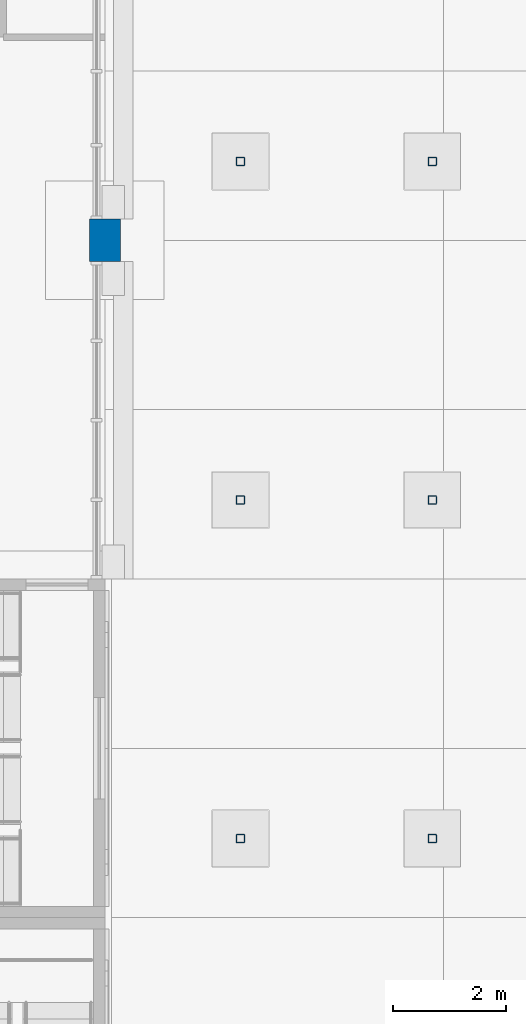
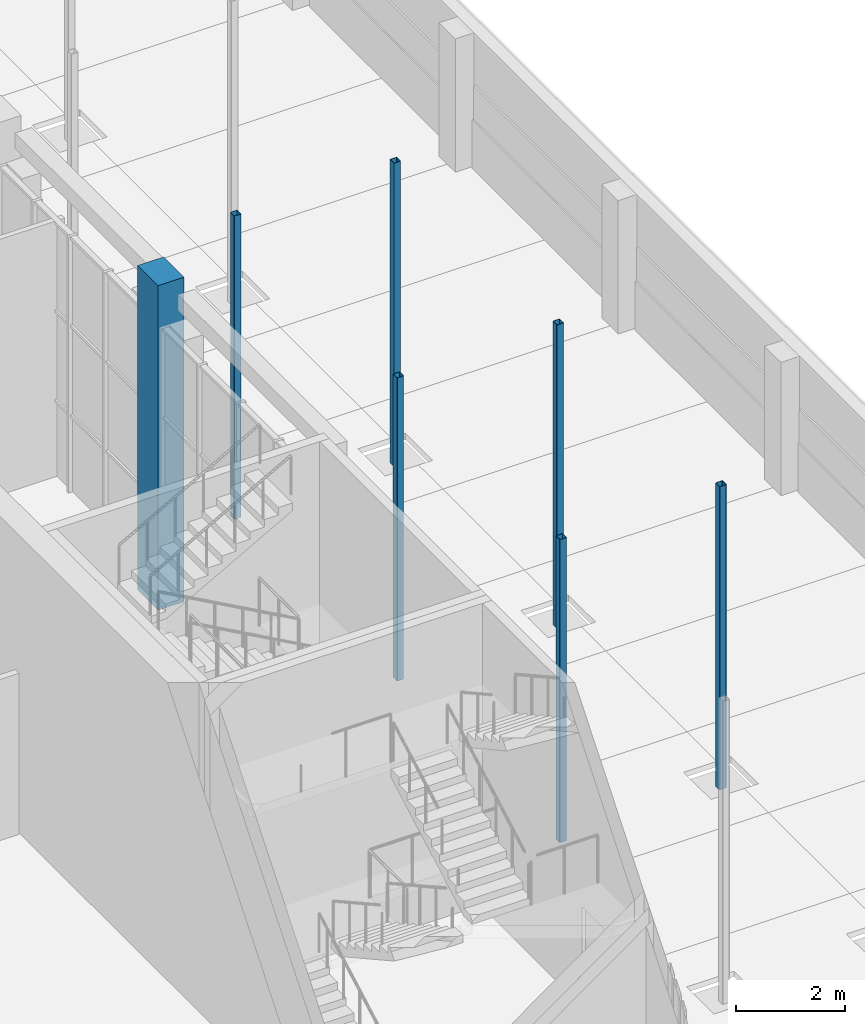
# One storey, part 13 of 95: 7 columns.
"""IFC4 building model written with IfcOpenShell, lengths in metres."""

from ifc_helpers import new_model, si_unit, direction, frame, origin, origin_2d, place, context, subcontext, project, spatial, rectangle, hollow_rectangle, extrude, material, material_profile, profile_set, type_object, element, save


model = new_model("IFC4")

# Units and contexts
model_context = context("Model", 3, precision=1e-05, world=origin(), true_north=direction((0.0, 1.0)))
body_context = subcontext(model_context, "Body", "Model", "MODEL_VIEW")
ifc_project = project(units=[si_unit("LENGTHUNIT", "METRE"), si_unit("AREAUNIT", "SQUARE_METRE"), si_unit("VOLUMEUNIT", "CUBIC_METRE"), si_unit("PLANEANGLEUNIT", "RADIAN"), si_unit("MASSUNIT", "GRAM", prefix="KILO")], contexts=[model_context])

# Site, building, storey
site_placement = place(None, origin())
site = spatial("IfcSite", under=ifc_project, at=site_placement, CompositionType="ELEMENT")
building_placement = place(site_placement, origin())
building = spatial("IfcBuilding", under=site, at=building_placement, Name="Saffron Lane Theatres", CompositionType="ELEMENT")
storey_placement = place(building_placement, origin())
storey = spatial("IfcBuildingStorey", under=building, at=storey_placement, Name="L00", CompositionType="ELEMENT", Elevation=0.0)

# Columns
ifc_material_1 = material(Name="Concrete N50 (50 MPa)", Category="concrete")
ifc_material_profile_1 = material_profile(ifc_material_1, rectangle(XDim=0.550048828125, YDim=0.75, at=origin_2d()))
ifc_profile_set_1 = profile_set([ifc_material_profile_1], Name="Concrete N50 (50 MPa)")
column_type_1 = type_object("IfcColumnType", Name="RC-COL 550x750", PredefinedType="COLUMN", material=ifc_profile_set_1)
column_placement = place(storey_placement, frame((54.0, 78.0, -0.300048828125), z_axis=(0.0, 0.0, 1.0), x_axis=(1.0, 0.0, 0.0)))
element("IfcColumn", 1, at=column_placement, inside=storey, type_object=column_type_1, Name="col-L00-K14", PredefinedType="COLUMN", context=body_context, shape_type="SweptSolid", body=[
    extrude(rectangle(XDim=0.550048828125, YDim=0.75, at=origin_2d()), origin(), (0.0, 0.0, 1.0), 7.300048828125),
])
ifc_material_2 = material(Name="Steel Grade 350", Category="steel")
ifc_material_profile_2 = material_profile(ifc_material_2, hollow_rectangle(XDim=0.14990234375, YDim=0.14990234375, WallThickness=0.009033203125, InnerFilletRadius=0.00439453125, OuterFilletRadius=0.013427734375, at=origin_2d()))
ifc_profile_set_2 = profile_set([ifc_material_profile_2], Name="Steel Grade 350")
column_type_2 = type_object("IfcColumnType", Name="ST-CANOPY COLUMN 150x150x9 SHS", PredefinedType="COLUMN", material=ifc_profile_set_2)
for number, where, z_axis, x_axis, name in (
    (2, (56.39990234375, 67.39990234375, -0.199951171875), (0.0, 0.0, 1.0), (1.0, 0.0, 0.0), "CCW7"),
    (3, (59.800048828125, 67.39990234375, -0.199951171875), (0.0, 0.0, 1.0), (1.0, 0.0, 0.0), "CCE7"),
    (4, (56.39990234375, 73.39990234375, -0.199951171875), (0.0, 0.0, 1.0), (1.0, 0.0, 0.0), "CCW8"),
    (5, (59.800048828125, 73.39990234375, -0.199951171875), (0.0, 0.0, 1.0), (1.0, 0.0, 0.0), "CCE8"),
    (6, (56.39990234375, 79.39990234375, -0.199951171875), (0.0, 0.0, 1.0), (1.0, 0.0, 0.0), "CCW9"),
    (7, (59.800048828125, 79.39990234375, -0.199951171875), (0.0, 0.0, 1.0), (1.0, 0.0, 0.0), "CCE9"),
):
    element("IfcColumn", number, at=place(storey_placement, frame(where, z_axis=z_axis, x_axis=x_axis)), inside=storey, type_object=column_type_2, Name=name, PredefinedType="COLUMN", context=body_context, shape_type="SweptSolid", body=[
        extrude(hollow_rectangle(XDim=0.14990234375, YDim=0.14990234375, WallThickness=0.009033203125, InnerFilletRadius=0.00439453125, OuterFilletRadius=0.013427734375, at=origin_2d()), origin(), (0.0, 0.0, 1.0), 6.822021484375),
    ])

save(model, "model.ifc")
